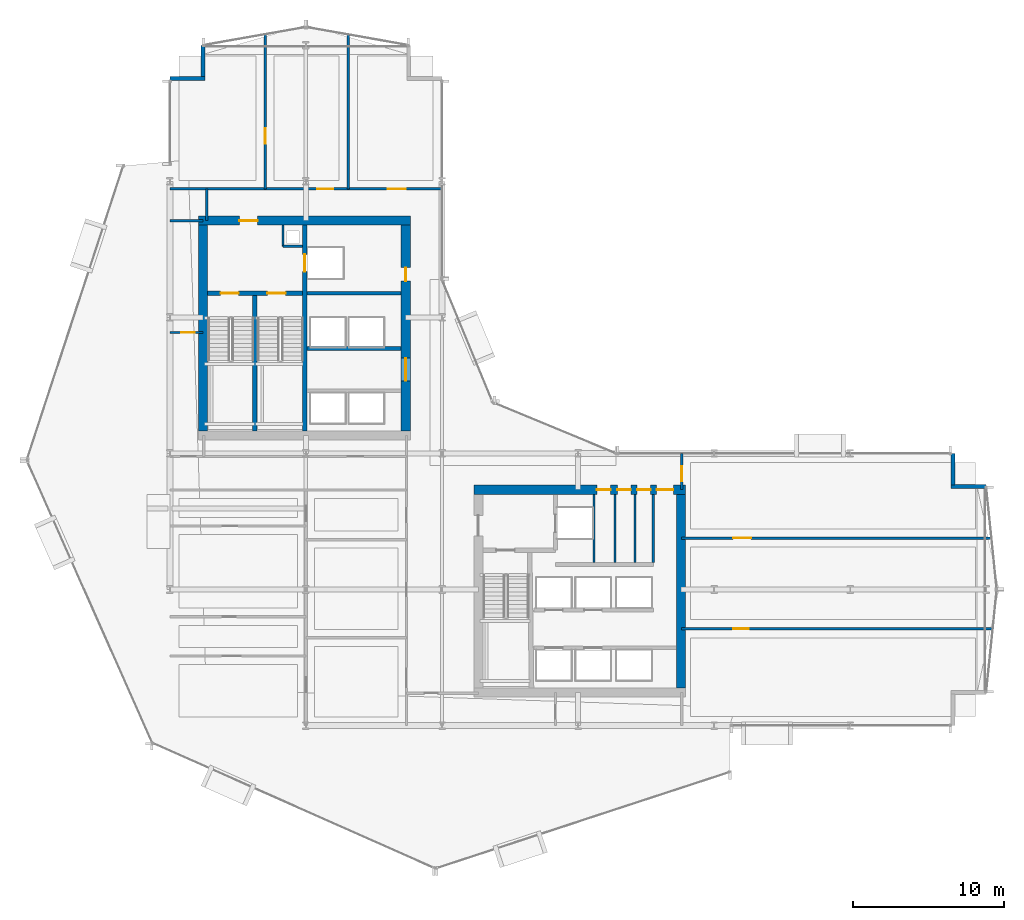
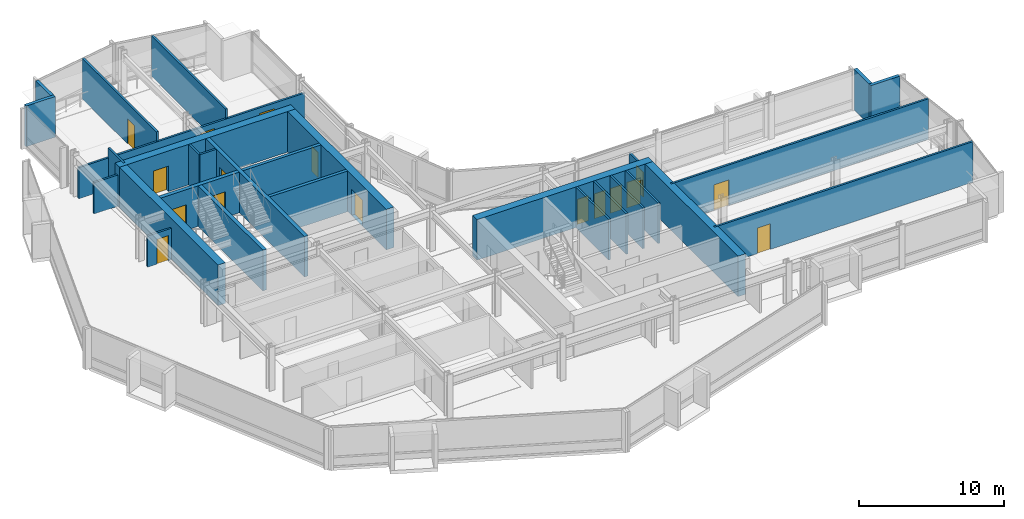
# One storey, part 28 of 34: 29 walls, 17 doors, 17 openings.
"""IFC4 building model written with IfcOpenShell, lengths in metres."""

from ifc_helpers import new_model, si_unit, direction, frame, frame_2d, origin, place, context, subcontext, project, spatial, rectangle, extrude, material, layer, layer_set, type_object, element, fill, save


model = new_model("IFC4")

# Units and contexts
model_context = context("Model", 3, precision=1e-05, world=origin(), true_north=direction((0.0, 1.0)))
body_context = subcontext(model_context, "Body", "Model", "MODEL_VIEW")
ifc_project = project(units=[si_unit("LENGTHUNIT", "METRE"), si_unit("AREAUNIT", "SQUARE_METRE"), si_unit("VOLUMEUNIT", "CUBIC_METRE"), si_unit("PLANEANGLEUNIT", "RADIAN"), si_unit("MASSUNIT", "GRAM", prefix="KILO")], contexts=[model_context])

# Site, building, storey
site_placement = place(None, origin())
site = spatial("IfcSite", under=ifc_project, at=site_placement, CompositionType="ELEMENT")
building_placement = place(site_placement, origin())
building = spatial("IfcBuilding", under=site, at=building_placement, Name="Solvaryn Broadcast Tower", CompositionType="ELEMENT")
storey_placement = place(building_placement, frame((0.0, 0.0, 39.699951171875)))
storey = spatial("IfcBuildingStorey", under=building, at=storey_placement, Name="L08", CompositionType="ELEMENT", Elevation=39.699951171875)

# Wall, opening, door
ifc_material_1 = material(Name="Concrete f'c 70 MPa", Category="concrete")
ifc_layer_1 = layer(ifc_material_1, 0.60009765625)
ifc_layer_set_1 = layer_set([ifc_layer_1], Name="CW-SHEAR-600")
wall_type_1 = type_object("IfcWallType", Name="CW-SHEAR-600", PredefinedType="SHEAR", material=ifc_layer_set_1)
wall_1_placement = place(storey_placement, frame((24.89990234375, 42.39990234375, 0.0), z_axis=(0.0, 0.0, 1.0), x_axis=(-1.0, 0.0, 0.0)))
wall_1 = element("IfcWall", 1, at=wall_1_placement, inside=storey, type_object=wall_type_1, Name="L08 West Core North Shear Wall", PredefinedType="SHEAR", context=body_context, shape_type="SweptSolid", body=[
    extrude(rectangle(XDim=14.0, YDim=0.60009765625, at=frame_2d((7.0, 0.0))), origin(), (0.0, 0.0, 1.0), 3.420166015625),
])
opening_1_placement = place(wall_1_placement, frame((10.10009765625, 0.0, 0.0)))
opening_1 = element("IfcOpeningElement", 2, at=opening_1_placement, cuts=wall_1, Name="Opening FD90A", PredefinedType="OPENING", context=body_context, shape_type="SweptSolid", body=[
    extrude(rectangle(XDim=1.199951171875, YDim=2.14990234375, at=frame_2d((0.60009765625, 1.074951171875))), frame((0.0, 0.31005859375, 0.0), z_axis=(0.0, -1.0, 0.0), x_axis=(1.0, 0.0, 0.0)), (0.0, 0.0, 1.0), 0.6201171875),
])
ifc_material_2 = material(Name="Flush Acoustic Steel and Timber Door Assembly", Category="steel")
door_type_1 = type_object("IfcDoorType", Name="FD90-STAIR-1200X2150", OperationType="NOTDEFINED", PredefinedType="DOOR", material=ifc_material_2)
door_1_placement = place(opening_1_placement, origin())
door_1 = element("IfcDoor", 3, at=door_1_placement, inside=storey, type_object=door_type_1, Name="L08 West FSAE Lobby Corridor Door", OperationType="SINGLE_SWING_LEFT", OverallHeight=2.14990234375, OverallWidth=1.199951171875, PredefinedType="DOOR", context=body_context, shape_type="SweptSolid", body=[
    extrude(rectangle(XDim=1.199951171875, YDim=2.14990234375, at=frame_2d((0.60009765625, 1.074951171875))), frame((0.0, 0.02490234375, 0.0), z_axis=(0.0, -1.0, 0.0), x_axis=(1.0, 0.0, 0.0)), (0.0, 0.0, 1.0), 0.050048828125),
])
fill(opening_1, door_1)

# Wall
wall_2_placement = place(storey_placement, frame((11.199951171875, 42.10009765625, 0.0), z_axis=(0.0, 0.0, 1.0), x_axis=(0.0, -1.0, 0.0)))
element("IfcWall", 4, at=wall_2_placement, inside=storey, type_object=wall_type_1, Name="L08 West Core West Shear Wall", PredefinedType="SHEAR", context=body_context, shape_type="SweptSolid", body=[
    extrude(rectangle(XDim=13.60009765625, YDim=0.60009765625, at=frame_2d((6.800048828125, 0.0))), origin(), (0.0, 0.0, 1.0), 3.420166015625),
])

# Wall, openings, doors
wall_3_placement = place(storey_placement, frame((24.60009765625, 28.5, 0.0), z_axis=(0.0, 0.0, 1.0), x_axis=(0.0, 1.0, 0.0)))
wall_3 = element("IfcWall", 5, at=wall_3_placement, inside=storey, type_object=wall_type_1, Name="L08 West Core East Shear Wall", PredefinedType="SHEAR", context=body_context, shape_type="SweptSolid", body=[
    extrude(rectangle(XDim=13.60009765625, YDim=0.60009765625, at=frame_2d((6.800048828125, 0.0))), origin(), (0.0, 0.0, 1.0), 3.420166015625),
])
opening_2_placement = place(wall_3_placement, frame((3.300048828125, 0.0, 0.0)))
opening_2 = element("IfcOpeningElement", 6, at=opening_2_placement, cuts=wall_3, Name="Opening FD60A", PredefinedType="OPENING", context=body_context, shape_type="SweptSolid", body=[
    extrude(rectangle(XDim=1.5, YDim=2.199951171875, at=frame_2d((0.75, 1.10009765625))), frame((0.0, 0.31005859375, 0.0), z_axis=(0.0, -1.0, 0.0), x_axis=(1.0, 0.0, 0.0)), (0.0, 0.0, 1.0), 0.6201171875),
])
opening_3_placement = place(wall_3_placement, frame((9.89990234375, 0.0, 0.0)))
opening_3 = element("IfcOpeningElement", 7, at=opening_3_placement, cuts=wall_3, Name="Opening FD60C", PredefinedType="OPENING", context=body_context, shape_type="SweptSolid", body=[
    extrude(rectangle(XDim=0.89990234375, YDim=2.10009765625, at=frame_2d((0.449951171875, 1.050048828125))), frame((0.0, 0.31005859375, 0.0), z_axis=(0.0, -1.0, 0.0), x_axis=(1.0, 0.0, 0.0)), (0.0, 0.0, 1.0), 0.6201171875),
])
ifc_material_3 = material(Name="Flush Acoustic Steel and Timber Door Assembly", Category="steel")
door_type_2 = type_object("IfcDoorType", Name="FD60-CORR-1500X2200", OperationType="NOTDEFINED", PredefinedType="DOOR", material=ifc_material_3)
door_2_placement = place(opening_2_placement, origin())
door_2 = element("IfcDoor", 8, at=door_2_placement, inside=storey, type_object=door_type_2, Name="L08 West Elevator Lobby Corridor Door", OperationType="DOUBLE_DOOR_SINGLE_SWING", OverallHeight=2.199951171875, OverallWidth=1.5, PredefinedType="DOOR", context=body_context, shape_type="SweptSolid", body=[
    extrude(rectangle(XDim=1.5, YDim=2.199951171875, at=frame_2d((0.75, 1.10009765625))), frame((0.0, 0.02490234375, 0.0), z_axis=(0.0, -1.0, 0.0), x_axis=(1.0, 0.0, 0.0)), (0.0, 0.0, 1.0), 0.050048828125),
])
fill(opening_2, door_2)
ifc_material_4 = material(Name="Flush Acoustic Steel and Timber Door Assembly", Category="steel")
door_type_3 = type_object("IfcDoorType", Name="FD60-SERV-900X2100", OperationType="NOTDEFINED", PredefinedType="DOOR", material=ifc_material_4)
door_3_placement = place(opening_3_placement, origin())
door_3 = element("IfcDoor", 9, at=door_3_placement, inside=storey, type_object=door_type_3, Name="L08 West Core Service Door 1", OperationType="SINGLE_SWING_LEFT", OverallHeight=2.10009765625, OverallWidth=0.89990234375, PredefinedType="DOOR", context=body_context, shape_type="SweptSolid", body=[
    extrude(rectangle(XDim=0.89990234375, YDim=2.10009765625, at=frame_2d((0.449951171875, 1.050048828125))), frame((0.0, 0.02490234375, 0.0), z_axis=(0.0, -1.0, 0.0), x_axis=(1.0, 0.0, 0.0)), (0.0, 0.0, 1.0), 0.050048828125),
])
fill(opening_3, door_3)

wall_4_placement = place(storey_placement, frame((43.10009765625, 24.60009765625, 0.0), z_axis=(0.0, 0.0, 1.0), x_axis=(-1.0, 0.0, 0.0)))
wall_4 = element("IfcWall", 10, at=wall_4_placement, inside=storey, type_object=wall_type_1, Name="L08 East Core North Shear Wall", PredefinedType="SHEAR", context=body_context, shape_type="SweptSolid", body=[
    extrude(rectangle(XDim=14.0, YDim=0.60009765625, at=frame_2d((7.0, 0.0))), origin(), (0.0, 0.0, 1.0), 3.420166015625),
])
opening_4_placement = place(wall_4_placement, frame((0.800048828125, 0.0, 0.0)))
opening_4 = element("IfcOpeningElement", 11, at=opening_4_placement, cuts=wall_4, Name="Opening FD90C", PredefinedType="OPENING", context=body_context, shape_type="SweptSolid", body=[
    extrude(rectangle(XDim=1.10009765625, YDim=2.14990234375, at=frame_2d((0.550048828125, 1.074951171875))), frame((0.0, 0.31005859375, 0.0), z_axis=(0.0, -1.0, 0.0), x_axis=(1.0, 0.0, 0.0)), (0.0, 0.0, 1.0), 0.6201171875),
])
opening_5_placement = place(wall_4_placement, frame((2.300048828125, 0.0, 0.0)))
opening_5 = element("IfcOpeningElement", 12, at=opening_5_placement, cuts=wall_4, Name="Opening FD60C", PredefinedType="OPENING", context=body_context, shape_type="SweptSolid", body=[
    extrude(rectangle(XDim=0.89990234375, YDim=2.10009765625, at=frame_2d((0.449951171875, 1.050048828125))), frame((0.0, 0.31005859375, 0.0), z_axis=(0.0, -1.0, 0.0), x_axis=(1.0, 0.0, 0.0)), (0.0, 0.0, 1.0), 0.6201171875),
])
opening_6_placement = place(wall_4_placement, frame((3.60009765625, 0.0, 0.0)))
opening_6 = element("IfcOpeningElement", 13, at=opening_6_placement, cuts=wall_4, Name="Opening FD60C", PredefinedType="OPENING", context=body_context, shape_type="SweptSolid", body=[
    extrude(rectangle(XDim=0.89990234375, YDim=2.10009765625, at=frame_2d((0.449951171875, 1.050048828125))), frame((0.0, 0.31005859375, 0.0), z_axis=(0.0, -1.0, 0.0), x_axis=(1.0, 0.0, 0.0)), (0.0, 0.0, 1.0), 0.6201171875),
])
opening_7_placement = place(wall_4_placement, frame((4.949951171875, 0.0, 0.0)))
opening_7 = element("IfcOpeningElement", 14, at=opening_7_placement, cuts=wall_4, Name="Opening FD60C", PredefinedType="OPENING", context=body_context, shape_type="SweptSolid", body=[
    extrude(rectangle(XDim=0.89990234375, YDim=2.10009765625, at=frame_2d((0.449951171875, 1.050048828125))), frame((0.0, 0.31005859375, 0.0), z_axis=(0.0, -1.0, 0.0), x_axis=(1.0, 0.0, 0.0)), (0.0, 0.0, 1.0), 0.6201171875),
])
door_4_placement = place(opening_5_placement, origin())
door_4 = element("IfcDoor", 15, at=door_4_placement, inside=storey, type_object=door_type_3, Name="L08 Core Wellness Room Door", OperationType="SINGLE_SWING_RIGHT", OverallHeight=2.10009765625, OverallWidth=0.89990234375, PredefinedType="DOOR", context=body_context, shape_type="SweptSolid", body=[
    extrude(rectangle(XDim=0.89990234375, YDim=2.10009765625, at=frame_2d((0.449951171875, 1.050048828125))), frame((0.0, 0.02490234375, 0.0), z_axis=(0.0, -1.0, 0.0), x_axis=(1.0, 0.0, 0.0)), (0.0, 0.0, 1.0), 0.050048828125),
])
fill(opening_5, door_4)
door_5_placement = place(opening_6_placement, origin())
door_5 = element("IfcDoor", 16, at=door_5_placement, inside=storey, type_object=door_type_3, Name="L08 Staff Restroom Door", OperationType="SINGLE_SWING_LEFT", OverallHeight=2.10009765625, OverallWidth=0.89990234375, PredefinedType="DOOR", context=body_context, shape_type="SweptSolid", body=[
    extrude(rectangle(XDim=0.89990234375, YDim=2.10009765625, at=frame_2d((0.449951171875, 1.050048828125))), frame((0.0, 0.02490234375, 0.0), z_axis=(0.0, -1.0, 0.0), x_axis=(1.0, 0.0, 0.0)), (0.0, 0.0, 1.0), 0.050048828125),
])
fill(opening_6, door_5)
door_6_placement = place(opening_7_placement, origin())
door_6 = element("IfcDoor", 17, at=door_6_placement, inside=storey, type_object=door_type_3, Name="L08 Accessible WC Door", OperationType="SINGLE_SWING_RIGHT", OverallHeight=2.10009765625, OverallWidth=0.89990234375, PredefinedType="DOOR", context=body_context, shape_type="SweptSolid", body=[
    extrude(rectangle(XDim=0.89990234375, YDim=2.10009765625, at=frame_2d((0.449951171875, 1.050048828125))), frame((0.0, 0.02490234375, 0.0), z_axis=(0.0, -1.0, 0.0), x_axis=(1.0, 0.0, 0.0)), (0.0, 0.0, 1.0), 0.050048828125),
])
fill(opening_7, door_6)
ifc_material_5 = material(Name="Flush Acoustic Steel and Timber Door Assembly", Category="steel")
door_type_4 = type_object("IfcDoorType", Name="FD90-PLANT-1100X2150", OperationType="NOTDEFINED", PredefinedType="DOOR", material=ifc_material_5)
door_7_placement = place(opening_4_placement, origin())
door_7 = element("IfcDoor", 18, at=door_7_placement, inside=storey, type_object=door_type_4, Name="L08 East Core Lobby Corridor Door", OperationType="SINGLE_SWING_LEFT", OverallHeight=2.14990234375, OverallWidth=1.10009765625, PredefinedType="DOOR", context=body_context, shape_type="SweptSolid", body=[
    extrude(rectangle(XDim=1.10009765625, YDim=2.14990234375, at=frame_2d((0.550048828125, 1.074951171875))), frame((0.0, 0.02490234375, 0.0), z_axis=(0.0, -1.0, 0.0), x_axis=(1.0, 0.0, 0.0)), (0.0, 0.0, 1.0), 0.050048828125),
])
fill(opening_4, door_7)

# Walls
wall_5_placement = place(storey_placement, frame((42.800048828125, 11.5, 0.0), z_axis=(0.0, 0.0, 1.0), x_axis=(0.0, 1.0, 0.0)))
element("IfcWall", 19, at=wall_5_placement, inside=storey, type_object=wall_type_1, Name="L08 East Core East Shear Wall", PredefinedType="SHEAR", context=body_context, shape_type="SweptSolid", body=[
    extrude(rectangle(XDim=12.800048828125, YDim=0.60009765625, at=frame_2d((6.39990234375, 0.0))), origin(), (0.0, 0.0, 1.0), 3.420166015625),
])
ifc_material_6 = material(Name="Concrete f'c 50 MPa", Category="concrete")
ifc_layer_2 = layer(ifc_material_6, 0.260009765625)
ifc_layer_set_2 = layer_set([ifc_layer_2], Name="EW-PIER-260")
wall_type_2 = type_object("IfcWallType", Name="EW-PIER-260", PredefinedType="SOLIDWALL", material=ifc_layer_set_2)
wall_6_placement = place(storey_placement, frame((9.0, 51.800048828125, 0.0), z_axis=(0.0, 0.0, 1.0), x_axis=(1.0, 0.0, 0.0)))
element("IfcWall", 20, at=wall_6_placement, inside=storey, type_object=wall_type_2, Name="L08 Notched Corner Pier Wall NNW1", PredefinedType="SOLIDWALL", context=body_context, shape_type="SweptSolid", body=[
    extrude(rectangle(XDim=2.320068359375, YDim=0.260009765625, at=frame_2d((1.16015625, 0.0))), origin(), (0.0, 0.0, 1.0), 3.420166015625),
])
wall_7_placement = place(storey_placement, frame((11.199951171875, 51.919921875, 0.0), z_axis=(0.0, 0.0, 1.0), x_axis=(0.0, 1.0, 0.0)))
element("IfcWall", 21, at=wall_7_placement, inside=storey, type_object=wall_type_2, Name="L08 Notched Corner Pier Wall NNW2", PredefinedType="SOLIDWALL", context=body_context, shape_type="SweptSolid", body=[
    extrude(rectangle(XDim=2.080078125, YDim=0.260009765625, at=frame_2d((1.0400390625, 0.0))), origin(), (0.0, 0.0, 1.0), 3.420166015625),
])
wall_8_placement = place(storey_placement, frame((63.0, 24.800048828125, 0.0), z_axis=(0.0, 0.0, 1.0), x_axis=(-1.0, 0.0, 0.0)))
element("IfcWall", 22, at=wall_8_placement, inside=storey, type_object=wall_type_2, Name="L08 Notched Corner Pier Wall NEE1", PredefinedType="SOLIDWALL", context=body_context, shape_type="SweptSolid", body=[
    extrude(rectangle(XDim=2.320068359375, YDim=0.260009765625, at=frame_2d((1.16015625, 0.0))), origin(), (0.0, 0.0, 1.0), 3.420166015625),
])
wall_9_placement = place(storey_placement, frame((60.800048828125, 24.919921875, 0.0), z_axis=(0.0, 0.0, 1.0), x_axis=(0.0, 1.0, 0.0)))
element("IfcWall", 23, at=wall_9_placement, inside=storey, type_object=wall_type_2, Name="L08 Notched Corner Pier Wall NEE2", PredefinedType="SOLIDWALL", context=body_context, shape_type="SweptSolid", body=[
    extrude(rectangle(XDim=2.080078125, YDim=0.260009765625, at=frame_2d((1.0400390625, 0.0))), origin(), (0.0, 0.0, 1.0), 3.420166015625),
])
ifc_material_7 = material(Name="Metal-Stud Service Core Partition")
ifc_layer_3 = layer(ifc_material_7, 0.14990234375)
ifc_layer_set_3 = layer_set([ifc_layer_3], Name="IW-PART-150")
wall_type_3 = type_object("IfcWallType", Name="IW-PART-150", PredefinedType="PARTITIONING", material=ifc_layer_set_3)
wall_10_placement = place(storey_placement, frame((16.47998046875, 40.699951171875, 0.0), z_axis=(0.0, 0.0, 1.0), x_axis=(1.0, 0.0, 0.0)))
element("IfcWall", 24, at=wall_10_placement, inside=storey, type_object=wall_type_3, Name="L08 West Core Riser Shaft South Wall", PredefinedType="PARTITIONING", context=body_context, shape_type="SweptSolid", body=[
    extrude(rectangle(XDim=1.2900390625, YDim=0.14990234375, at=frame_2d((0.64501953125, 0.0))), origin(), (0.0, 0.0, 1.0), 3.420166015625),
])
wall_11_placement = place(storey_placement, frame((16.47998046875, 40.699951171875, 0.0), z_axis=(0.0, 0.0, 1.0), x_axis=(0.0, 1.0, 0.0)))
element("IfcWall", 25, at=wall_11_placement, inside=storey, type_object=wall_type_3, Name="L08 West Core Riser Shaft West Wall", PredefinedType="PARTITIONING", context=body_context, shape_type="SweptSolid", body=[
    extrude(rectangle(XDim=1.400146484375, YDim=0.14990234375, at=frame_2d((0.7001953125, 0.0))), origin(), (0.0, 0.0, 1.0), 3.420166015625),
])
for number, where, z_axis, x_axis, name in (
    (26, (37.050048828125, 19.780029296875, 0.0), (0.0, 0.0, 1.0), (0.0, 1.0, 0.0), "L08 Interior Partition IW-L08-CE-FL2E"),
    (27, (38.43994140625, 19.780029296875, 0.0), (0.0, 0.0, 1.0), (0.0, 1.0, 0.0), "L08 Interior Partition IW-L08-CE-V1"),
    (28, (39.77001953125, 19.780029296875, 0.0), (0.0, 0.0, 1.0), (0.0, 1.0, 0.0), "L08 Interior Partition IW-L08-CE-V2"),
    (29, (40.97998046875, 19.780029296875, 0.0), (0.0, 0.0, 1.0), (0.0, 1.0, 0.0), "L08 Interior Partition IW-L08-CE-V3"),
):
    element("IfcWall", number, at=place(storey_placement, frame(where, z_axis=z_axis, x_axis=x_axis)), inside=storey, type_object=wall_type_3, Name=name, PredefinedType="PARTITIONING", context=body_context, shape_type="SweptSolid", body=[
        extrude(rectangle(XDim=4.52001953125, YDim=0.14990234375, at=frame_2d((2.260009765625, 0.0))), origin(), (0.0, 0.0, 1.0), 3.420166015625),
    ])

# Wall, opening, door
wall_12_placement = place(storey_placement, frame((9.0, 35.0, 0.0), z_axis=(0.0, 0.0, 1.0), x_axis=(1.0, 0.0, 0.0)))
wall_12 = element("IfcWall", 30, at=wall_12_placement, inside=storey, type_object=wall_type_3, Name="L08 Interior Partition IW-L08-WM-M", PredefinedType="PARTITIONING", context=body_context, shape_type="SweptSolid", body=[
    extrude(rectangle(XDim=2.199951171875, YDim=0.14990234375, at=frame_2d((1.10009765625, 0.0))), origin(), (0.0, 0.0, 1.0), 2.626953125),
])
opening_8_placement = place(wall_12_placement, frame((0.75, 0.0, 0.0)))
opening_8 = element("IfcOpeningElement", 31, at=opening_8_placement, cuts=wall_12, Name="Opening FD60C", PredefinedType="OPENING", context=body_context, shape_type="SweptSolid", body=[
    extrude(rectangle(XDim=0.89990234375, YDim=2.10009765625, at=frame_2d((0.449951171875, 1.050048828125))), frame((0.0, 0.0849609375, 0.0), z_axis=(0.0, -1.0, 0.0), x_axis=(1.0, 0.0, 0.0)), (0.0, 0.0, 1.0), 0.169921875),
])
door_8_placement = place(opening_8_placement, origin())
door_8 = element("IfcDoor", 32, at=door_8_placement, inside=storey, type_object=door_type_3, Name="L08 Door DR-L08-WM1", OperationType="SINGLE_SWING_RIGHT", OverallHeight=2.10009765625, OverallWidth=0.89990234375, PredefinedType="DOOR", context=body_context, shape_type="SweptSolid", body=[
    extrude(rectangle(XDim=0.89990234375, YDim=2.10009765625, at=frame_2d((0.449951171875, 1.050048828125))), frame((0.0, 0.02490234375, 0.0), z_axis=(0.0, -1.0, 0.0), x_axis=(1.0, 0.0, 0.0)), (0.0, 0.0, 1.0), 0.050048828125),
])
fill(opening_8, door_8)

# Walls
ifc_material_8 = material(Name="Metal-Stud Gypsum Office Partition")
ifc_layer_4 = layer(ifc_material_8, 0.159912109375)
ifc_layer_set_4 = layer_set([ifc_layer_4], Name="IW-PART-160")
wall_type_4 = type_object("IfcWallType", Name="IW-PART-160", PredefinedType="PARTITIONING", material=ifc_layer_set_4)
wall_13_placement = place(storey_placement, frame((9.0, 42.39990234375, 0.0), z_axis=(0.0, 0.0, 1.0), x_axis=(1.0, 0.0, 0.0)))
element("IfcWall", 33, at=wall_13_placement, inside=storey, type_object=wall_type_4, Name="L08 Interior Partition IW-L08-WM-N", PredefinedType="PARTITIONING", context=body_context, shape_type="SweptSolid", body=[
    extrude(rectangle(XDim=2.199951171875, YDim=0.159912109375, at=frame_2d((1.10009765625, 0.0))), origin(), (0.0, 0.0, 1.0), 2.626953125),
])
wall_14_placement = place(storey_placement, frame((11.449951171875, 42.39990234375, 0.0), z_axis=(0.0, 0.0, 1.0), x_axis=(0.0, 1.0, 0.0)))
element("IfcWall", 34, at=wall_14_placement, inside=storey, type_object=wall_type_4, Name="L08 Interior Partition IW-L08-WM-E", PredefinedType="PARTITIONING", context=body_context, shape_type="SweptSolid", body=[
    extrude(rectangle(XDim=2.10009765625, YDim=0.159912109375, at=frame_2d((1.050048828125, 0.0))), origin(), (0.0, 0.0, 1.0), 3.420166015625),
])

# Wall, openings, doors
wall_15_placement = place(storey_placement, frame((9.0, 44.5, 0.0), z_axis=(0.0, 0.0, 1.0), x_axis=(1.0, 0.0, 0.0)))
wall_15 = element("IfcWall", 35, at=wall_15_placement, inside=storey, type_object=wall_type_4, Name="L08 Interior Partition IW-L08-NW-SB", PredefinedType="PARTITIONING", context=body_context, shape_type="SweptSolid", body=[
    extrude(rectangle(XDim=18.0, YDim=0.159912109375, at=frame_2d((9.0, 0.0))), origin(), (0.0, 0.0, 1.0), 2.626953125),
])
opening_9_placement = place(wall_15_placement, frame((9.75, 0.0, 0.0)))
opening_9 = element("IfcOpeningElement", 36, at=opening_9_placement, cuts=wall_15, Name="Opening ID03", PredefinedType="OPENING", context=body_context, shape_type="SweptSolid", body=[
    extrude(rectangle(XDim=1.050048828125, YDim=2.14990234375, at=frame_2d((0.52490234375, 1.074951171875))), frame((0.0, 0.090087890625, 0.0), z_axis=(0.0, -1.0, 0.0), x_axis=(1.0, 0.0, 0.0)), (0.0, 0.0, 1.0), 0.179931640625),
])
opening_10_placement = place(wall_15_placement, frame((14.39990234375, 0.0, 0.0)))
opening_10 = element("IfcOpeningElement", 37, at=opening_10_placement, cuts=wall_15, Name="Opening ID04", PredefinedType="OPENING", context=body_context, shape_type="SweptSolid", body=[
    extrude(rectangle(XDim=1.199951171875, YDim=2.14990234375, at=frame_2d((0.60009765625, 1.074951171875))), frame((0.0, 0.090087890625, 0.0), z_axis=(0.0, -1.0, 0.0), x_axis=(1.0, 0.0, 0.0)), (0.0, 0.0, 1.0), 0.179931640625),
])
ifc_material_9 = material(Name="Flush Acoustic Steel and Timber Door Assembly", Category="steel")
door_type_5 = type_object("IfcDoorType", Name="ID-03-1050X2150", OperationType="NOTDEFINED", PredefinedType="DOOR", material=ifc_material_9)
door_9_placement = place(opening_9_placement, origin())
door_9 = element("IfcDoor", 38, at=door_9_placement, inside=storey, type_object=door_type_5, Name="L08 Door DR-L08-NW-2", OperationType="SINGLE_SWING_LEFT", OverallHeight=2.14990234375, OverallWidth=1.050048828125, PredefinedType="DOOR", context=body_context, shape_type="SweptSolid", body=[
    extrude(rectangle(XDim=1.050048828125, YDim=2.14990234375, at=frame_2d((0.52490234375, 1.074951171875))), frame((0.0, 0.02490234375, 0.0), z_axis=(0.0, -1.0, 0.0), x_axis=(1.0, 0.0, 0.0)), (0.0, 0.0, 1.0), 0.050048828125),
])
fill(opening_9, door_9)
ifc_material_10 = material(Name="Flush Acoustic Steel and Timber Door Assembly", Category="steel")
door_type_6 = type_object("IfcDoorType", Name="ID-04-1200X2150", OperationType="NOTDEFINED", PredefinedType="DOOR", material=ifc_material_10)
door_10_placement = place(opening_10_placement, origin())
door_10 = element("IfcDoor", 39, at=door_10_placement, inside=storey, type_object=door_type_6, Name="L08 Door DR-L08-NW-3", OperationType="SINGLE_SWING_RIGHT", OverallHeight=2.14990234375, OverallWidth=1.199951171875, PredefinedType="DOOR", context=body_context, shape_type="SweptSolid", body=[
    extrude(rectangle(XDim=1.199951171875, YDim=2.14990234375, at=frame_2d((0.60009765625, 1.074951171875))), frame((0.0, 0.02490234375, 0.0), z_axis=(0.0, -1.0, 0.0), x_axis=(1.0, 0.0, 0.0)), (0.0, 0.0, 1.0), 0.050048828125),
])
fill(opening_10, door_10)

# Wall, opening, door
wall_16_placement = place(storey_placement, frame((15.300048828125, 44.5, 0.0), z_axis=(0.0, 0.0, 1.0), x_axis=(0.0, 1.0, 0.0)))
wall_16 = element("IfcWall", 40, at=wall_16_placement, inside=storey, type_object=wall_type_4, Name="L08 Interior Partition IW-L08-NW-V1", PredefinedType="PARTITIONING", context=body_context, shape_type="SweptSolid", body=[
    extrude(rectangle(XDim=10.22412109375, YDim=0.159912109375, at=frame_2d((5.112060546875, 0.0))), origin(), (0.0, 0.0, 1.0), 3.420166015625),
])
opening_11_placement = place(wall_16_placement, frame((3.0, 0.0, 0.0)))
opening_11 = element("IfcOpeningElement", 41, at=opening_11_placement, cuts=wall_16, Name="Opening ID02", PredefinedType="OPENING", context=body_context, shape_type="SweptSolid", body=[
    extrude(rectangle(XDim=1.0, YDim=2.10009765625, at=frame_2d((0.5, 1.050048828125))), frame((0.0, 0.090087890625, 0.0), z_axis=(0.0, -1.0, 0.0), x_axis=(1.0, 0.0, 0.0)), (0.0, 0.0, 1.0), 0.179931640625),
])
ifc_material_11 = material(Name="Flush Acoustic Steel and Timber Door Assembly", Category="steel")
door_type_7 = type_object("IfcDoorType", Name="ID-02-1000X2100", OperationType="NOTDEFINED", PredefinedType="DOOR", material=ifc_material_11)
door_11_placement = place(opening_11_placement, origin())
door_11 = element("IfcDoor", 42, at=door_11_placement, inside=storey, type_object=door_type_7, Name="L08 Door DR-L08-NW-C1", OperationType="SINGLE_SWING_RIGHT", OverallHeight=2.10009765625, OverallWidth=1.0, PredefinedType="DOOR", context=body_context, shape_type="SweptSolid", body=[
    extrude(rectangle(XDim=1.0, YDim=2.10009765625, at=frame_2d((0.5, 1.050048828125))), frame((0.0, 0.02490234375, 0.0), z_axis=(0.0, -1.0, 0.0), x_axis=(1.0, 0.0, 0.0)), (0.0, 0.0, 1.0), 0.050048828125),
])
fill(opening_11, door_11)

# Wall
wall_17_placement = place(storey_placement, frame((20.800048828125, 44.5, 0.0), z_axis=(0.0, 0.0, 1.0), x_axis=(0.0, 1.0, 0.0)))
element("IfcWall", 43, at=wall_17_placement, inside=storey, type_object=wall_type_4, Name="L08 Interior Partition IW-L08-NW-V2", PredefinedType="PARTITIONING", context=body_context, shape_type="SweptSolid", body=[
    extrude(rectangle(XDim=10.2060546875, YDim=0.159912109375, at=frame_2d((5.10302734375, 0.0))), origin(), (0.0, 0.0, 1.0), 3.420166015625),
])

# Wall, opening, door
wall_18_placement = place(storey_placement, frame((42.85009765625, 24.60009765625, 0.0), z_axis=(0.0, 0.0, 1.0), x_axis=(0.0, 1.0, 0.0)))
wall_18 = element("IfcWall", 44, at=wall_18_placement, inside=storey, type_object=wall_type_4, Name="L08 Interior Partition IW-L08-EW-BN", PredefinedType="PARTITIONING", context=body_context, shape_type="SweptSolid", body=[
    extrude(rectangle(XDim=2.39990234375, YDim=0.159912109375, at=frame_2d((1.199951171875, 0.0))), origin(), (0.0, 0.0, 1.0), 2.626953125),
])
opening_12_placement = place(wall_18_placement, frame((0.550048828125, 0.0, 0.0)))
opening_12 = element("IfcOpeningElement", 45, at=opening_12_placement, cuts=wall_18, Name="Opening ID02", PredefinedType="OPENING", context=body_context, shape_type="SweptSolid", body=[
    extrude(rectangle(XDim=1.0, YDim=2.10009765625, at=frame_2d((0.5, 1.050048828125))), frame((0.0, 0.090087890625, 0.0), z_axis=(0.0, -1.0, 0.0), x_axis=(1.0, 0.0, 0.0)), (0.0, 0.0, 1.0), 0.179931640625),
])
door_12_placement = place(opening_12_placement, origin())
door_12 = element("IfcDoor", 46, at=door_12_placement, inside=storey, type_object=door_type_7, Name="L08 Door DR-L08-EW0", OperationType="SINGLE_SWING_LEFT", OverallHeight=2.10009765625, OverallWidth=1.0, PredefinedType="DOOR", context=body_context, shape_type="SweptSolid", body=[
    extrude(rectangle(XDim=1.0, YDim=2.10009765625, at=frame_2d((0.5, 1.050048828125))), frame((0.0, 0.02490234375, 0.0), z_axis=(0.0, -1.0, 0.0), x_axis=(1.0, 0.0, 0.0)), (0.0, 0.0, 1.0), 0.050048828125),
])
fill(opening_12, door_12)

wall_19_placement = place(storey_placement, frame((42.85009765625, 15.39990234375, 0.0), z_axis=(0.0, 0.0, 1.0), x_axis=(1.0, 0.0, 0.0)))
wall_19 = element("IfcWall", 47, at=wall_19_placement, inside=storey, type_object=wall_type_4, Name="L08 Interior Partition IW-L08-EW-H1", PredefinedType="PARTITIONING", context=body_context, shape_type="SweptSolid", body=[
    extrude(rectangle(XDim=20.581787109375, YDim=0.159912109375, at=frame_2d((10.291015625, 0.0))), origin(), (0.0, 0.0, 1.0), 3.420166015625),
])
opening_13_placement = place(wall_19_placement, frame((3.39990234375, 0.0, 0.0)))
opening_13 = element("IfcOpeningElement", 48, at=opening_13_placement, cuts=wall_19, Name="Opening ID03", PredefinedType="OPENING", context=body_context, shape_type="SweptSolid", body=[
    extrude(rectangle(XDim=1.050048828125, YDim=2.14990234375, at=frame_2d((0.52490234375, 1.074951171875))), frame((0.0, 0.090087890625, 0.0), z_axis=(0.0, -1.0, 0.0), x_axis=(1.0, 0.0, 0.0)), (0.0, 0.0, 1.0), 0.179931640625),
])
door_13_placement = place(opening_13_placement, origin())
door_13 = element("IfcDoor", 49, at=door_13_placement, inside=storey, type_object=door_type_5, Name="L08 Door DR-L08-EW-1", OperationType="SINGLE_SWING_RIGHT", OverallHeight=2.14990234375, OverallWidth=1.050048828125, PredefinedType="DOOR", context=body_context, shape_type="SweptSolid", body=[
    extrude(rectangle(XDim=1.050048828125, YDim=2.14990234375, at=frame_2d((0.52490234375, 1.074951171875))), frame((0.0, 0.02490234375, 0.0), z_axis=(0.0, -1.0, 0.0), x_axis=(1.0, 0.0, 0.0)), (0.0, 0.0, 1.0), 0.050048828125),
])
fill(opening_13, door_13)

wall_20_placement = place(storey_placement, frame((42.85009765625, 21.39990234375, 0.0), z_axis=(0.0, 0.0, 1.0), x_axis=(1.0, 0.0, 0.0)))
wall_20 = element("IfcWall", 50, at=wall_20_placement, inside=storey, type_object=wall_type_4, Name="L08 Interior Partition IW-L08-EW-H2", PredefinedType="PARTITIONING", context=body_context, shape_type="SweptSolid", body=[
    extrude(rectangle(XDim=20.5, YDim=0.159912109375, at=frame_2d((10.25, 0.0))), origin(), (0.0, 0.0, 1.0), 3.420166015625),
])
opening_14_placement = place(wall_20_placement, frame((3.39990234375, 0.0, 0.0)))
opening_14 = element("IfcOpeningElement", 51, at=opening_14_placement, cuts=wall_20, Name="Opening ID04", PredefinedType="OPENING", context=body_context, shape_type="SweptSolid", body=[
    extrude(rectangle(XDim=1.199951171875, YDim=2.14990234375, at=frame_2d((0.60009765625, 1.074951171875))), frame((0.0, 0.090087890625, 0.0), z_axis=(0.0, -1.0, 0.0), x_axis=(1.0, 0.0, 0.0)), (0.0, 0.0, 1.0), 0.179931640625),
])
door_14_placement = place(opening_14_placement, origin())
door_14 = element("IfcDoor", 52, at=door_14_placement, inside=storey, type_object=door_type_6, Name="L08 Door DR-L08-EW-2", OperationType="SINGLE_SWING_LEFT", OverallHeight=2.14990234375, OverallWidth=1.199951171875, PredefinedType="DOOR", context=body_context, shape_type="SweptSolid", body=[
    extrude(rectangle(XDim=1.199951171875, YDim=2.14990234375, at=frame_2d((0.60009765625, 1.074951171875))), frame((0.0, 0.02490234375, 0.0), z_axis=(0.0, -1.0, 0.0), x_axis=(1.0, 0.0, 0.0)), (0.0, 0.0, 1.0), 0.050048828125),
])
fill(opening_14, door_14)

# Walls
ifc_material_12 = material(Name="Concrete f'c 60 MPa", Category="concrete")
ifc_layer_5 = layer(ifc_material_12, 0.25)
ifc_layer_set_5 = layer_set([ifc_layer_5], Name="SW-SHAFT-250")
wall_type_5 = type_object("IfcWallType", Name="SW-SHAFT-250", PredefinedType="PARTITIONING", material=ifc_layer_set_5)
for number, where, z_axis, x_axis, name in (
    (53, (18.070068359375, 37.60009765625, 0.0), (0.0, 0.0, 1.0), (1.0, 0.0, 0.0), "L08 West Core FSAE Hoistway Front Wall"),
    (54, (24.300048828125, 33.949951171875, 0.0), (0.0, 0.0, 1.0), (-1.0, 0.0, 0.0), "L08 High-Rise Lift Bank North Wall"),
):
    element("IfcWall", number, at=place(storey_placement, frame(where, z_axis=z_axis, x_axis=x_axis)), inside=storey, type_object=wall_type_5, Name=name, PredefinedType="PARTITIONING", context=body_context, shape_type="SweptSolid", body=[
        extrude(rectangle(XDim=6.22998046875, YDim=0.25, at=frame_2d((3.114990234375, 0.0))), origin(), (0.0, 0.0, 1.0), 3.420166015625),
    ])
ifc_material_13 = material(Name="Concrete f'c 70 MPa", Category="concrete")
ifc_layer_6 = layer(ifc_material_13, 0.300048828125)
ifc_layer_set_6 = layer_set([ifc_layer_6], Name="SW-SHAFT-300")
wall_type_6 = type_object("IfcWallType", Name="SW-SHAFT-300", PredefinedType="SHEAR", material=ifc_layer_set_6)
wall_21_placement = place(storey_placement, frame((14.6201171875, 28.5, 0.0), z_axis=(0.0, 0.0, 1.0), x_axis=(0.0, 1.0, 0.0)))
element("IfcWall", 55, at=wall_21_placement, inside=storey, type_object=wall_type_6, Name="L08 Stair 1-2 Dividing Wall", PredefinedType="SHEAR", context=body_context, shape_type="SweptSolid", body=[
    extrude(rectangle(XDim=8.949951171875, YDim=0.300048828125, at=frame_2d((4.47509765625, 0.0))), origin(), (0.0, 0.0, 1.0), 3.420166015625),
])

# Wall, opening, door
wall_22_placement = place(storey_placement, frame((17.919921875, 42.10009765625, 0.0), z_axis=(0.0, 0.0, 1.0), x_axis=(0.0, -1.0, 0.0)))
wall_22 = element("IfcWall", 56, at=wall_22_placement, inside=storey, type_object=wall_type_6, Name="L08 West Core Stair-Lobby Shear Wall", PredefinedType="SHEAR", context=body_context, shape_type="SweptSolid", body=[
    extrude(rectangle(XDim=13.60009765625, YDim=0.300048828125, at=frame_2d((6.800048828125, 0.0))), origin(), (0.0, 0.0, 1.0), 3.420166015625),
])
opening_15_placement = place(wall_22_placement, frame((1.925048828125, 0.0, 0.0)))
opening_15 = element("IfcOpeningElement", 57, at=opening_15_placement, cuts=wall_22, Name="Opening LD01", PredefinedType="OPENING", context=body_context, shape_type="SweptSolid", body=[
    extrude(rectangle(XDim=1.14990234375, YDim=2.14990234375, at=frame_2d((0.574951171875, 1.074951171875))), frame((0.0, 0.159912109375, 0.0), z_axis=(0.0, -1.0, 0.0), x_axis=(1.0, 0.0, 0.0)), (0.0, 0.0, 1.0), 0.320068359375),
])
ifc_material_14 = material(Name="Flush Acoustic Steel and Timber Door Assembly", Category="steel")
door_type_8 = type_object("IfcDoorType", Name="LD-LIFT-1150X2150", OperationType="NOTDEFINED", PredefinedType="DOOR", material=ifc_material_14)
door_15_placement = place(opening_15_placement, origin())
door_15 = element("IfcDoor", 58, at=door_15_placement, inside=storey, type_object=door_type_8, Name="L08 FL1 Lift Landing Door", OperationType="DOUBLE_DOOR_SLIDING", OverallHeight=2.14990234375, OverallWidth=1.14990234375, PredefinedType="DOOR", context=body_context, shape_type="SweptSolid", body=[
    extrude(rectangle(XDim=1.14990234375, YDim=2.14990234375, at=frame_2d((0.574951171875, 1.074951171875))), frame((0.0, 0.02490234375, 0.0), z_axis=(0.0, -1.0, 0.0), x_axis=(1.0, 0.0, 0.0)), (0.0, 0.0, 1.0), 0.050048828125),
])
fill(opening_15, door_15)

# Wall, openings, doors
wall_23_placement = place(storey_placement, frame((17.77001953125, 37.60009765625, 0.0), z_axis=(0.0, 0.0, 1.0), x_axis=(-1.0, 0.0, 0.0)))
wall_23 = element("IfcWall", 59, at=wall_23_placement, inside=storey, type_object=wall_type_6, Name="L08 West Core FSAE Lobby South Wall", PredefinedType="SHEAR", context=body_context, shape_type="SweptSolid", body=[
    extrude(rectangle(XDim=6.27001953125, YDim=0.300048828125, at=frame_2d((3.135009765625, 0.0))), origin(), (0.0, 0.0, 1.0), 3.420166015625),
])
opening_16_placement = place(wall_23_placement, frame((4.219970703125, 0.0, 0.0)))
opening_16 = element("IfcOpeningElement", 60, at=opening_16_placement, cuts=wall_23, Name="Opening FD90A", PredefinedType="OPENING", context=body_context, shape_type="SweptSolid", body=[
    extrude(rectangle(XDim=1.199951171875, YDim=2.14990234375, at=frame_2d((0.60009765625, 1.074951171875))), frame((0.0, 0.159912109375, 0.0), z_axis=(0.0, -1.0, 0.0), x_axis=(1.0, 0.0, 0.0)), (0.0, 0.0, 1.0), 0.320068359375),
])
opening_17_placement = place(wall_23_placement, frame((1.1201171875, 0.0, 0.0)))
opening_17 = element("IfcOpeningElement", 61, at=opening_17_placement, cuts=wall_23, Name="Opening FD90A", PredefinedType="OPENING", context=body_context, shape_type="SweptSolid", body=[
    extrude(rectangle(XDim=1.199951171875, YDim=2.14990234375, at=frame_2d((0.60009765625, 1.074951171875))), frame((0.0, 0.159912109375, 0.0), z_axis=(0.0, -1.0, 0.0), x_axis=(1.0, 0.0, 0.0)), (0.0, 0.0, 1.0), 0.320068359375),
])
door_16_placement = place(opening_16_placement, origin())
door_16 = element("IfcDoor", 62, at=door_16_placement, inside=storey, type_object=door_type_1, Name="L08 Stair 1 Fire Door", OperationType="SINGLE_SWING_LEFT", OverallHeight=2.14990234375, OverallWidth=1.199951171875, PredefinedType="DOOR", context=body_context, shape_type="SweptSolid", body=[
    extrude(rectangle(XDim=1.199951171875, YDim=2.14990234375, at=frame_2d((0.60009765625, 1.074951171875))), frame((0.0, 0.02490234375, 0.0), z_axis=(0.0, -1.0, 0.0), x_axis=(1.0, 0.0, 0.0)), (0.0, 0.0, 1.0), 0.050048828125),
])
fill(opening_16, door_16)
door_17_placement = place(opening_17_placement, origin())
door_17 = element("IfcDoor", 63, at=door_17_placement, inside=storey, type_object=door_type_1, Name="L08 Stair 2 Fire Door", OperationType="SINGLE_SWING_RIGHT", OverallHeight=2.14990234375, OverallWidth=1.199951171875, PredefinedType="DOOR", context=body_context, shape_type="SweptSolid", body=[
    extrude(rectangle(XDim=1.199951171875, YDim=2.14990234375, at=frame_2d((0.60009765625, 1.074951171875))), frame((0.0, 0.02490234375, 0.0), z_axis=(0.0, -1.0, 0.0), x_axis=(1.0, 0.0, 0.0)), (0.0, 0.0, 1.0), 0.050048828125),
])
fill(opening_17, door_17)

save(model, "model.ifc")
